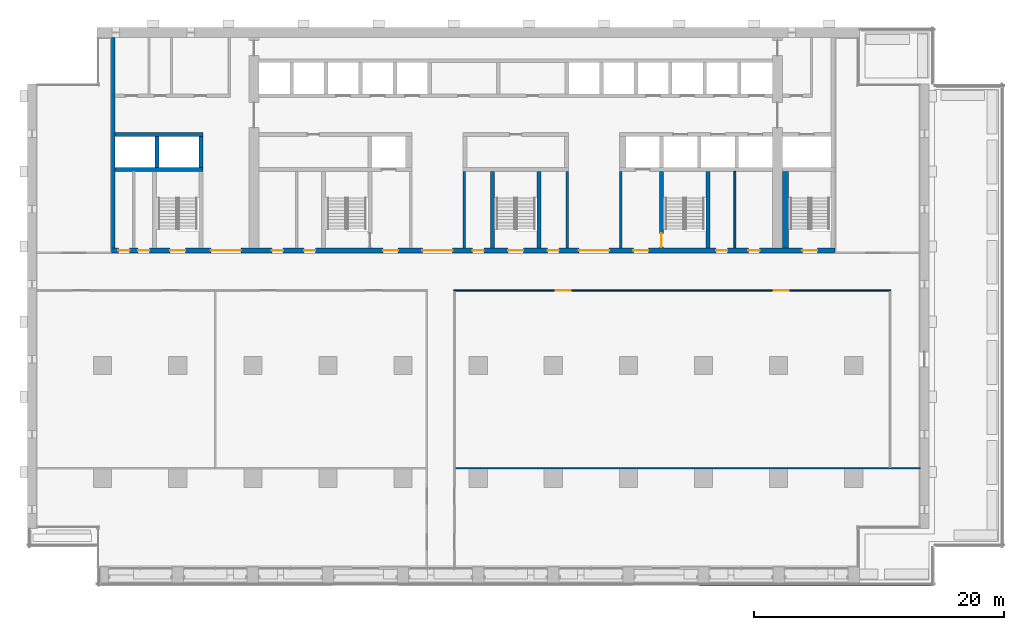
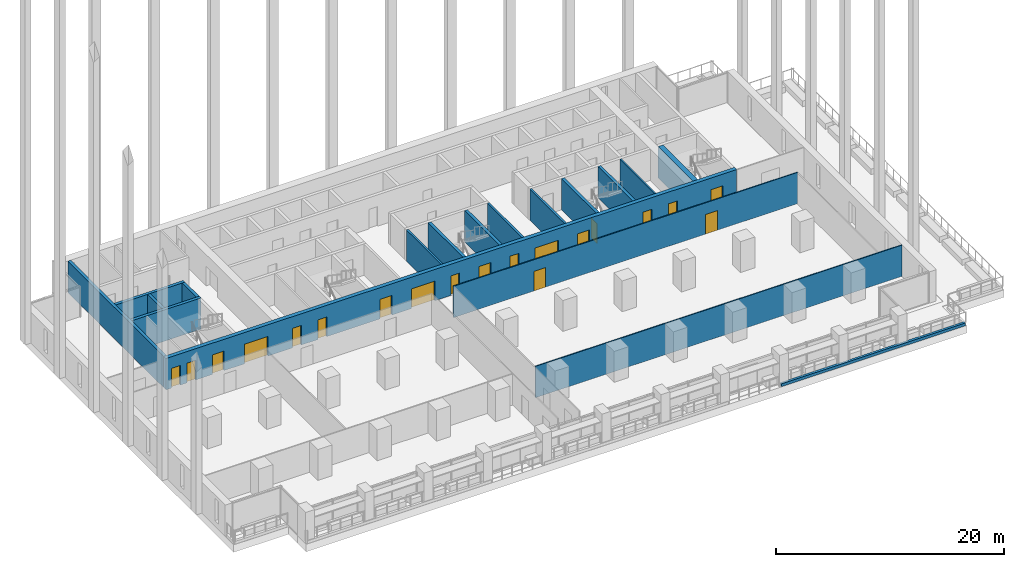
# One storey, part 9 of 18: 19 doors, 18 walls, 19 openings.
"""IFC4 building model written with IfcOpenShell, lengths in metres."""

from ifc_helpers import new_model, si_unit, direction, frame, frame_2d, origin, place, context, subcontext, project, spatial, rectangle, extrude, material, layer, layer_set, type_object, element, fill, save


model = new_model("IFC4")

# Units and contexts
model_context = context("Model", 3, precision=1e-05, world=origin(), true_north=direction((0.0, 1.0)))
body_context = subcontext(model_context, "Body", "Model", "MODEL_VIEW")
ifc_project = project(units=[si_unit("LENGTHUNIT", "METRE"), si_unit("AREAUNIT", "SQUARE_METRE"), si_unit("VOLUMEUNIT", "CUBIC_METRE"), si_unit("PLANEANGLEUNIT", "RADIAN"), si_unit("MASSUNIT", "GRAM", prefix="KILO")], contexts=[model_context])

# Site, building, storey
site_placement = place(None, origin())
site = spatial("IfcSite", under=ifc_project, at=site_placement, CompositionType="ELEMENT")
building_placement = place(site_placement, origin())
building = spatial("IfcBuilding", under=site, at=building_placement, Name="Calvaro Tower", CompositionType="ELEMENT")
storey_placement = place(building_placement, frame((0.0, 0.0, 95.0)))
storey = spatial("IfcBuildingStorey", under=building, at=storey_placement, Name="L23", CompositionType="ELEMENT", Elevation=95.0)

# Walls
ifc_material_1 = material(Name="Blockwork partition", Category="masonry")
ifc_layer_1 = layer(ifc_material_1, 0.14990234375)
ifc_layer_set_1 = layer_set([ifc_layer_1], Name="Blockwork partition")
wall_type_1 = type_object("IfcWallType", Name="Core partition 150 EI 60", PredefinedType="PARTITIONING", material=ifc_layer_set_1)
wall_1_placement = place(storey_placement, frame((56.5, 28.39990234375, 0.0), z_axis=(0.0, 0.0, 1.0), x_axis=(0.0, 1.0, 0.0)))
element("IfcWall", 1, at=wall_1_placement, inside=storey, type_object=wall_type_1, Name="Core partition", PredefinedType="PARTITIONING", context=body_context, shape_type="SweptSolid", body=[
    extrude(rectangle(XDim=6.10009765625, YDim=0.14990234375, at=frame_2d((3.050048828125, 0.0))), origin(), (0.0, 0.0, 1.0), 3.35009765625),
])
ifc_material_2 = material(Name="Blockwork partition", Category="masonry")
ifc_layer_2 = layer(ifc_material_2, 0.199951171875)
ifc_layer_set_2 = layer_set([ifc_layer_2], Name="Blockwork partition")
wall_type_2 = type_object("IfcWallType", Name="Core partition 200 REI 120", PredefinedType="PARTITIONING", material=ifc_layer_set_2)
for number, where, z_axis, x_axis, name in (
    (2, (34.89990234375, 28.39990234375, 0.0), (0.0, 0.0, 1.0), (0.0, 1.0, 0.0), "Core partition"),
    (3, (43.10009765625, 28.39990234375, 0.0), (0.0, 0.0, 1.0), (0.0, 1.0, 0.0), "Core partition"),
    (4, (47.39990234375, 28.39990234375, 0.0), (0.0, 0.0, 1.0), (0.0, 1.0, 0.0), "Core partition"),
):
    element("IfcWall", number, at=place(storey_placement, frame(where, z_axis=z_axis, x_axis=x_axis)), inside=storey, type_object=wall_type_2, Name=name, PredefinedType="PARTITIONING", context=body_context, shape_type="SweptSolid", body=[
        extrude(rectangle(XDim=6.10009765625, YDim=0.199951171875, at=frame_2d((3.050048828125, 0.0))), origin(), (0.0, 0.0, 1.0), 3.35009765625),
    ])
ifc_material_3 = material(Name="Concrete C60/75", Category="concrete")
ifc_layer_3 = layer(ifc_material_3, 0.300048828125)
ifc_layer_set_3 = layer_set([ifc_layer_3], Name="Concrete C60/75")
wall_type_3 = type_object("IfcWallType", Name="Core wall C60/75 300", PredefinedType="SHEAR", material=ifc_layer_set_3)
wall_2_placement = place(storey_placement, frame((6.85009765625, 28.39990234375, 0.0), z_axis=(0.0, 0.0, 1.0), x_axis=(0.0, 1.0, 0.0)))
element("IfcWall", 5, at=wall_2_placement, inside=storey, type_object=wall_type_3, Name="Core wall, boundary", PredefinedType="SHEAR", context=body_context, shape_type="SweptSolid", body=[
    extrude(rectangle(XDim=16.800048828125, YDim=0.300048828125, at=frame_2d((8.39990234375, 0.0))), origin(), (0.0, 0.0, 1.0), 3.35009765625),
])
for number, where, z_axis, x_axis, name in (
    (6, (37.14990234375, 28.39990234375, 0.0), (0.0, 0.0, 1.0), (0.0, 1.0, 0.0), "Core wall, stair enclosure"),
    (7, (40.85009765625, 28.39990234375, 0.0), (0.0, 0.0, 1.0), (0.0, 1.0, 0.0), "Core wall, stair enclosure"),
):
    element("IfcWall", number, at=place(storey_placement, frame(where, z_axis=z_axis, x_axis=x_axis)), inside=storey, type_object=wall_type_3, Name=name, PredefinedType="SHEAR", context=body_context, shape_type="SweptSolid", body=[
        extrude(rectangle(XDim=6.10009765625, YDim=0.300048828125, at=frame_2d((3.050048828125, 0.0))), origin(), (0.0, 0.0, 1.0), 3.35009765625),
    ])

# Wall, opening, door
wall_3_placement = place(storey_placement, frame((50.64990234375, 34.5, 0.0), z_axis=(0.0, 0.0, 1.0), x_axis=(0.0, -1.0, 0.0)))
wall_3 = element("IfcWall", 8, at=wall_3_placement, inside=storey, type_object=wall_type_3, Name="Core wall, stair enclosure", PredefinedType="SHEAR", context=body_context, shape_type="SweptSolid", body=[
    extrude(rectangle(XDim=6.10009765625, YDim=0.300048828125, at=frame_2d((3.050048828125, 0.0))), origin(), (0.0, 0.0, 1.0), 3.35009765625),
])
opening_1_placement = place(wall_3_placement, frame((4.949951171875, 0.0, 0.0)))
opening_1 = element("IfcOpeningElement", 9, at=opening_1_placement, cuts=wall_3, Name="Opening FD11D", PredefinedType="OPENING", context=body_context, shape_type="SweptSolid", body=[
    extrude(rectangle(XDim=1.10009765625, YDim=2.10009765625, at=frame_2d((0.550048828125, 1.050048828125))), frame((0.0, 0.159912109375, 0.0), z_axis=(0.0, -1.0, 0.0), x_axis=(1.0, 0.0, 0.0)), (0.0, 0.0, 1.0), 0.320068359375),
])
ifc_material_4 = material(Name="Steel door set", Category="steel")
door_type_1 = type_object("IfcDoorType", Name="Fire door 1100 FD30S", OperationType="SINGLE_SWING_LEFT", PredefinedType="DOOR", material=ifc_material_4)
door_1_placement = place(opening_1_placement, origin())
door_1 = element("IfcDoor", 10, at=door_1_placement, inside=storey, type_object=door_type_1, Name="Fire door", OperationType="SINGLE_SWING_RIGHT", OverallHeight=2.10009765625, OverallWidth=1.10009765625, PredefinedType="DOOR", context=body_context, shape_type="SweptSolid", body=[
    extrude(rectangle(XDim=1.10009765625, YDim=2.10009765625, at=frame_2d((0.550048828125, 1.050048828125))), frame((0.0, 0.02490234375, 0.0), z_axis=(0.0, -1.0, 0.0), x_axis=(1.0, 0.0, 0.0)), (0.0, 0.0, 1.0), 0.050048828125),
])
fill(opening_1, door_1)

# Walls
wall_4_placement = place(storey_placement, frame((54.35009765625, 28.39990234375, 0.0), z_axis=(0.0, 0.0, 1.0), x_axis=(0.0, 1.0, 0.0)))
element("IfcWall", 11, at=wall_4_placement, inside=storey, type_object=wall_type_3, Name="Core wall, stair enclosure", PredefinedType="SHEAR", context=body_context, shape_type="SweptSolid", body=[
    extrude(rectangle(XDim=6.10009765625, YDim=0.300048828125, at=frame_2d((3.050048828125, 0.0))), origin(), (0.0, 0.0, 1.0), 3.35009765625),
])
for number, where, z_axis, x_axis, name in (
    (12, (7.0, 34.64990234375, 0.0), (0.0, 0.0, 1.0), (1.0, 0.0, 0.0), "Core wall, lift shaft"),
    (13, (7.0, 37.449951171875, 0.0), (0.0, 0.0, 1.0), (1.0, 0.0, 0.0), "Core wall, lift shaft"),
):
    element("IfcWall", number, at=place(storey_placement, frame(where, z_axis=z_axis, x_axis=x_axis)), inside=storey, type_object=wall_type_3, Name=name, PredefinedType="SHEAR", context=body_context, shape_type="SweptSolid", body=[
        extrude(rectangle(XDim=7.0, YDim=0.300048828125, at=frame_2d((3.5, 0.0))), origin(), (0.0, 0.0, 1.0), 3.35009765625),
    ])
for number, where, z_axis, x_axis, name in (
    (14, (13.85009765625, 34.800048828125, 0.0), (0.0, 0.0, 1.0), (0.0, 1.0, 0.0), "Core wall, lift shaft"),
    (15, (10.35009765625, 34.800048828125, 0.0), (0.0, 0.0, 1.0), (0.0, 1.0, 0.0), "Core wall, lift shaft"),
):
    element("IfcWall", number, at=place(storey_placement, frame(where, z_axis=z_axis, x_axis=x_axis)), inside=storey, type_object=wall_type_3, Name=name, PredefinedType="SHEAR", context=body_context, shape_type="SweptSolid", body=[
        extrude(rectangle(XDim=2.5, YDim=0.300048828125, at=frame_2d((1.25, 0.0))), origin(), (0.0, 0.0, 1.0), 3.35009765625),
    ])

# Wall, openings, doors
ifc_material_5 = material(Name="Concrete C60/75", Category="concrete")
ifc_layer_4 = layer(ifc_material_5, 0.39990234375)
ifc_layer_set_4 = layer_set([ifc_layer_4], Name="Concrete C60/75")
wall_type_4 = type_object("IfcWallType", Name="Core wall C60/75 400", PredefinedType="SHEAR", material=ifc_layer_set_4)
wall_5_placement = place(storey_placement, frame((6.699951171875, 28.199951171875, 0.0), z_axis=(0.0, 0.0, 1.0), x_axis=(1.0, 0.0, 0.0)))
wall_5 = element("IfcWall", 16, at=wall_5_placement, inside=storey, type_object=wall_type_4, Name="Core wall, front", PredefinedType="SHEAR", context=body_context, shape_type="SweptSolid", body=[
    extrude(rectangle(XDim=57.800048828125, YDim=0.39990234375, at=frame_2d((28.89990234375, 0.0))), origin(), (0.0, 0.0, 1.0), 3.35009765625),
])
opening_2_placement = place(wall_5_placement, frame((12.8125, 0.0, 0.0)))
opening_2 = element("IfcOpeningElement", 17, at=opening_2_placement, cuts=wall_5, Name="Opening RD9E", PredefinedType="OPENING", context=body_context, shape_type="SweptSolid", body=[
    extrude(rectangle(XDim=0.89990234375, YDim=2.10009765625, at=frame_2d((0.449951171875, 1.050048828125))), frame((0.0, 0.2099609375, 0.0), z_axis=(0.0, -1.0, 0.0), x_axis=(1.0, 0.0, 0.0)), (0.0, 0.0, 1.0), 0.419921875),
])
opening_3_placement = place(wall_5_placement, frame((15.387451171875, 0.0, 0.0)))
opening_3 = element("IfcOpeningElement", 18, at=opening_3_placement, cuts=wall_5, Name="Opening RD9E", PredefinedType="OPENING", context=body_context, shape_type="SweptSolid", body=[
    extrude(rectangle(XDim=0.89990234375, YDim=2.10009765625, at=frame_2d((0.449951171875, 1.050048828125))), frame((0.0, 0.2099609375, 0.0), z_axis=(0.0, -1.0, 0.0), x_axis=(1.0, 0.0, 0.0)), (0.0, 0.0, 1.0), 0.419921875),
])
opening_4_placement = place(wall_5_placement, frame((48.3125, 0.0, 0.0)))
opening_4 = element("IfcOpeningElement", 19, at=opening_4_placement, cuts=wall_5, Name="Opening RD9E", PredefinedType="OPENING", context=body_context, shape_type="SweptSolid", body=[
    extrude(rectangle(XDim=0.89990234375, YDim=2.10009765625, at=frame_2d((0.449951171875, 1.050048828125))), frame((0.0, 0.2099609375, 0.0), z_axis=(0.0, -1.0, 0.0), x_axis=(1.0, 0.0, 0.0)), (0.0, 0.0, 1.0), 0.419921875),
])
opening_5_placement = place(wall_5_placement, frame((50.887451171875, 0.0, 0.0)))
opening_5 = element("IfcOpeningElement", 20, at=opening_5_placement, cuts=wall_5, Name="Opening RD9E", PredefinedType="OPENING", context=body_context, shape_type="SweptSolid", body=[
    extrude(rectangle(XDim=0.89990234375, YDim=2.10009765625, at=frame_2d((0.449951171875, 1.050048828125))), frame((0.0, 0.2099609375, 0.0), z_axis=(0.0, -1.0, 0.0), x_axis=(1.0, 0.0, 0.0)), (0.0, 0.0, 1.0), 0.419921875),
])
opening_6_placement = place(wall_5_placement, frame((0.5625, 0.0, 0.0)))
opening_6 = element("IfcOpeningElement", 21, at=opening_6_placement, cuts=wall_5, Name="Opening RD9E", PredefinedType="OPENING", context=body_context, shape_type="SweptSolid", body=[
    extrude(rectangle(XDim=0.89990234375, YDim=2.10009765625, at=frame_2d((0.449951171875, 1.050048828125))), frame((0.0, 0.2099609375, 0.0), z_axis=(0.0, -1.0, 0.0), x_axis=(1.0, 0.0, 0.0)), (0.0, 0.0, 1.0), 0.419921875),
])
opening_7_placement = place(wall_5_placement, frame((2.137451171875, 0.0, 0.0)))
opening_7 = element("IfcOpeningElement", 22, at=opening_7_placement, cuts=wall_5, Name="Opening RD9C", PredefinedType="OPENING", context=body_context, shape_type="SweptSolid", body=[
    extrude(rectangle(XDim=0.89990234375, YDim=2.10009765625, at=frame_2d((0.449951171875, 1.050048828125))), frame((0.0, 0.2099609375, 0.0), z_axis=(0.0, -1.0, 0.0), x_axis=(1.0, 0.0, 0.0)), (0.0, 0.0, 1.0), 0.419921875),
])
opening_8_placement = place(wall_5_placement, frame((4.699951171875, 0.0, 0.0)))
opening_8 = element("IfcOpeningElement", 23, at=opening_8_placement, cuts=wall_5, Name="Opening SD12D", PredefinedType="OPENING", context=body_context, shape_type="SweptSolid", body=[
    extrude(rectangle(XDim=1.199951171875, YDim=2.10009765625, at=frame_2d((0.60009765625, 1.050048828125))), frame((0.0, 0.2099609375, 0.0), z_axis=(0.0, -1.0, 0.0), x_axis=(1.0, 0.0, 0.0)), (0.0, 0.0, 1.0), 0.419921875),
])
opening_9_placement = place(wall_5_placement, frame((31.699951171875, 0.0, 0.0)))
opening_9 = element("IfcOpeningElement", 24, at=opening_9_placement, cuts=wall_5, Name="Opening SD12D", PredefinedType="OPENING", context=body_context, shape_type="SweptSolid", body=[
    extrude(rectangle(XDim=1.199951171875, YDim=2.10009765625, at=frame_2d((0.60009765625, 1.050048828125))), frame((0.0, 0.2099609375, 0.0), z_axis=(0.0, -1.0, 0.0), x_axis=(1.0, 0.0, 0.0)), (0.0, 0.0, 1.0), 0.419921875),
])
opening_10_placement = place(wall_5_placement, frame((55.199951171875, 0.0, 0.0)))
opening_10 = element("IfcOpeningElement", 25, at=opening_10_placement, cuts=wall_5, Name="Opening SD12D", PredefinedType="OPENING", context=body_context, shape_type="SweptSolid", body=[
    extrude(rectangle(XDim=1.199951171875, YDim=2.10009765625, at=frame_2d((0.60009765625, 1.050048828125))), frame((0.0, 0.2099609375, 0.0), z_axis=(0.0, -1.0, 0.0), x_axis=(1.0, 0.0, 0.0)), (0.0, 0.0, 1.0), 0.419921875),
])
opening_11_placement = place(wall_5_placement, frame((21.699951171875, 0.0, 0.0)))
opening_11 = element("IfcOpeningElement", 26, at=opening_11_placement, cuts=wall_5, Name="Opening FD12F", PredefinedType="OPENING", context=body_context, shape_type="SweptSolid", body=[
    extrude(rectangle(XDim=1.199951171875, YDim=2.10009765625, at=frame_2d((0.60009765625, 1.050048828125))), frame((0.0, 0.2099609375, 0.0), z_axis=(0.0, -1.0, 0.0), x_axis=(1.0, 0.0, 0.0)), (0.0, 0.0, 1.0), 0.419921875),
])
opening_12_placement = place(wall_5_placement, frame((41.699951171875, 0.0, 0.0)))
opening_12 = element("IfcOpeningElement", 27, at=opening_12_placement, cuts=wall_5, Name="Opening FD12F", PredefinedType="OPENING", context=body_context, shape_type="SweptSolid", body=[
    extrude(rectangle(XDim=1.199951171875, YDim=2.10009765625, at=frame_2d((0.60009765625, 1.050048828125))), frame((0.0, 0.2099609375, 0.0), z_axis=(0.0, -1.0, 0.0), x_axis=(1.0, 0.0, 0.0)), (0.0, 0.0, 1.0), 0.419921875),
])
opening_13_placement = place(wall_5_placement, frame((24.85009765625, 0.0, 0.0)))
opening_13 = element("IfcOpeningElement", 28, at=opening_13_placement, cuts=wall_5, Name="Opening DD24D", PredefinedType="OPENING", context=body_context, shape_type="SweptSolid", body=[
    extrude(rectangle(XDim=2.39990234375, YDim=2.10009765625, at=frame_2d((1.199951171875, 1.050048828125))), frame((0.0, 0.2099609375, 0.0), z_axis=(0.0, -1.0, 0.0), x_axis=(1.0, 0.0, 0.0)), (0.0, 0.0, 1.0), 0.419921875),
])
opening_14_placement = place(wall_5_placement, frame((37.35009765625, 0.0, 0.0)))
opening_14 = element("IfcOpeningElement", 29, at=opening_14_placement, cuts=wall_5, Name="Opening DD24D", PredefinedType="OPENING", context=body_context, shape_type="SweptSolid", body=[
    extrude(rectangle(XDim=2.39990234375, YDim=2.10009765625, at=frame_2d((1.199951171875, 1.050048828125))), frame((0.0, 0.2099609375, 0.0), z_axis=(0.0, -1.0, 0.0), x_axis=(1.0, 0.0, 0.0)), (0.0, 0.0, 1.0), 0.419921875),
])
opening_15_placement = place(wall_5_placement, frame((7.949951171875, 0.0, 0.0)))
opening_15 = element("IfcOpeningElement", 30, at=opening_15_placement, cuts=wall_5, Name="Opening DD24D", PredefinedType="OPENING", context=body_context, shape_type="SweptSolid", body=[
    extrude(rectangle(XDim=2.39990234375, YDim=2.10009765625, at=frame_2d((1.199951171875, 1.050048828125))), frame((0.0, 0.2099609375, 0.0), z_axis=(0.0, -1.0, 0.0), x_axis=(1.0, 0.0, 0.0)), (0.0, 0.0, 1.0), 0.419921875),
])
opening_16_placement = place(wall_5_placement, frame((28.85009765625, 0.0, 0.0)))
opening_16 = element("IfcOpeningElement", 31, at=opening_16_placement, cuts=wall_5, Name="Opening RD9E", PredefinedType="OPENING", context=body_context, shape_type="SweptSolid", body=[
    extrude(rectangle(XDim=0.89990234375, YDim=2.10009765625, at=frame_2d((0.449951171875, 1.050048828125))), frame((0.0, 0.2099609375, 0.0), z_axis=(0.0, -1.0, 0.0), x_axis=(1.0, 0.0, 0.0)), (0.0, 0.0, 1.0), 0.419921875),
])
opening_17_placement = place(wall_5_placement, frame((34.85009765625, 0.0, 0.0)))
opening_17 = element("IfcOpeningElement", 32, at=opening_17_placement, cuts=wall_5, Name="Opening RD9E", PredefinedType="OPENING", context=body_context, shape_type="SweptSolid", body=[
    extrude(rectangle(XDim=0.89990234375, YDim=2.10009765625, at=frame_2d((0.449951171875, 1.050048828125))), frame((0.0, 0.2099609375, 0.0), z_axis=(0.0, -1.0, 0.0), x_axis=(1.0, 0.0, 0.0)), (0.0, 0.0, 1.0), 0.419921875),
])
ifc_material_6 = material(Name="Steel door set", Category="steel")
door_type_2 = type_object("IfcDoorType", Name="Fire door 1200 FD60S", OperationType="SINGLE_SWING_LEFT", PredefinedType="DOOR", material=ifc_material_6)
door_2_placement = place(opening_11_placement, origin())
door_2 = element("IfcDoor", 33, at=door_2_placement, inside=storey, type_object=door_type_2, Name="Fire door", OperationType="SINGLE_SWING_LEFT", OverallHeight=2.10009765625, OverallWidth=1.199951171875, PredefinedType="DOOR", context=body_context, shape_type="SweptSolid", body=[
    extrude(rectangle(XDim=1.199951171875, YDim=2.10009765625, at=frame_2d((0.60009765625, 1.050048828125))), frame((0.0, 0.02490234375, 0.0), z_axis=(0.0, -1.0, 0.0), x_axis=(1.0, 0.0, 0.0)), (0.0, 0.0, 1.0), 0.050048828125),
])
fill(opening_11, door_2)
door_3_placement = place(opening_12_placement, origin())
door_3 = element("IfcDoor", 34, at=door_3_placement, inside=storey, type_object=door_type_2, Name="Fire door", OperationType="SINGLE_SWING_LEFT", OverallHeight=2.10009765625, OverallWidth=1.199951171875, PredefinedType="DOOR", context=body_context, shape_type="SweptSolid", body=[
    extrude(rectangle(XDim=1.199951171875, YDim=2.10009765625, at=frame_2d((0.60009765625, 1.050048828125))), frame((0.0, 0.02490234375, 0.0), z_axis=(0.0, -1.0, 0.0), x_axis=(1.0, 0.0, 0.0)), (0.0, 0.0, 1.0), 0.050048828125),
])
fill(opening_12, door_3)
ifc_material_7 = material(Name="Steel door set", Category="steel")
door_type_3 = type_object("IfcDoorType", Name="Lobby double door 2400 FD30S", OperationType="DOUBLE_DOOR_SINGLE_SWING", PredefinedType="DOOR", material=ifc_material_7)
door_4_placement = place(opening_13_placement, origin())
door_4 = element("IfcDoor", 35, at=door_4_placement, inside=storey, type_object=door_type_3, Name="Lobby double door", OperationType="DOUBLE_DOOR_SINGLE_SWING", OverallHeight=2.10009765625, OverallWidth=2.39990234375, PredefinedType="DOOR", context=body_context, shape_type="SweptSolid", body=[
    extrude(rectangle(XDim=2.39990234375, YDim=2.10009765625, at=frame_2d((1.199951171875, 1.050048828125))), frame((0.0, 0.02490234375, 0.0), z_axis=(0.0, -1.0, 0.0), x_axis=(1.0, 0.0, 0.0)), (0.0, 0.0, 1.0), 0.050048828125),
])
fill(opening_13, door_4)
door_5_placement = place(opening_14_placement, origin())
door_5 = element("IfcDoor", 36, at=door_5_placement, inside=storey, type_object=door_type_3, Name="Lobby double door", OperationType="DOUBLE_DOOR_SINGLE_SWING", OverallHeight=2.10009765625, OverallWidth=2.39990234375, PredefinedType="DOOR", context=body_context, shape_type="SweptSolid", body=[
    extrude(rectangle(XDim=2.39990234375, YDim=2.10009765625, at=frame_2d((1.199951171875, 1.050048828125))), frame((0.0, 0.02490234375, 0.0), z_axis=(0.0, -1.0, 0.0), x_axis=(1.0, 0.0, 0.0)), (0.0, 0.0, 1.0), 0.050048828125),
])
fill(opening_14, door_5)
door_6_placement = place(opening_15_placement, origin())
door_6 = element("IfcDoor", 37, at=door_6_placement, inside=storey, type_object=door_type_3, Name="Lobby double door", OperationType="DOUBLE_DOOR_SINGLE_SWING", OverallHeight=2.10009765625, OverallWidth=2.39990234375, PredefinedType="DOOR", context=body_context, shape_type="SweptSolid", body=[
    extrude(rectangle(XDim=2.39990234375, YDim=2.10009765625, at=frame_2d((1.199951171875, 1.050048828125))), frame((0.0, 0.02490234375, 0.0), z_axis=(0.0, -1.0, 0.0), x_axis=(1.0, 0.0, 0.0)), (0.0, 0.0, 1.0), 0.050048828125),
])
fill(opening_15, door_6)
ifc_material_8 = material(Name="Steel door set", Category="steel")
door_type_4 = type_object("IfcDoorType", Name="Room door 900 FD30", OperationType="SINGLE_SWING_LEFT", PredefinedType="DOOR", material=ifc_material_8)
door_7_placement = place(opening_7_placement, origin())
door_7 = element("IfcDoor", 38, at=door_7_placement, inside=storey, type_object=door_type_4, Name="Room door", OperationType="SINGLE_SWING_LEFT", OverallHeight=2.10009765625, OverallWidth=0.89990234375, PredefinedType="DOOR", context=body_context, shape_type="SweptSolid", body=[
    extrude(rectangle(XDim=0.89990234375, YDim=2.10009765625, at=frame_2d((0.449951171875, 1.050048828125))), frame((0.0, 0.02490234375, 0.0), z_axis=(0.0, -1.0, 0.0), x_axis=(1.0, 0.0, 0.0)), (0.0, 0.0, 1.0), 0.050048828125),
])
fill(opening_7, door_7)
ifc_material_9 = material(Name="Steel door set", Category="steel")
door_type_5 = type_object("IfcDoorType", Name="Room door 900 FD60", OperationType="SINGLE_SWING_LEFT", PredefinedType="DOOR", material=ifc_material_9)
door_8_placement = place(opening_2_placement, origin())
door_8 = element("IfcDoor", 39, at=door_8_placement, inside=storey, type_object=door_type_5, Name="Room door", OperationType="SINGLE_SWING_LEFT", OverallHeight=2.10009765625, OverallWidth=0.89990234375, PredefinedType="DOOR", context=body_context, shape_type="SweptSolid", body=[
    extrude(rectangle(XDim=0.89990234375, YDim=2.10009765625, at=frame_2d((0.449951171875, 1.050048828125))), frame((0.0, 0.02490234375, 0.0), z_axis=(0.0, -1.0, 0.0), x_axis=(1.0, 0.0, 0.0)), (0.0, 0.0, 1.0), 0.050048828125),
])
fill(opening_2, door_8)
door_9_placement = place(opening_3_placement, origin())
door_9 = element("IfcDoor", 40, at=door_9_placement, inside=storey, type_object=door_type_5, Name="Room door", OperationType="SINGLE_SWING_RIGHT", OverallHeight=2.10009765625, OverallWidth=0.89990234375, PredefinedType="DOOR", context=body_context, shape_type="SweptSolid", body=[
    extrude(rectangle(XDim=0.89990234375, YDim=2.10009765625, at=frame_2d((0.449951171875, 1.050048828125))), frame((0.0, 0.02490234375, 0.0), z_axis=(0.0, -1.0, 0.0), x_axis=(1.0, 0.0, 0.0)), (0.0, 0.0, 1.0), 0.050048828125),
])
fill(opening_3, door_9)
door_10_placement = place(opening_4_placement, origin())
door_10 = element("IfcDoor", 41, at=door_10_placement, inside=storey, type_object=door_type_5, Name="Room door", OperationType="SINGLE_SWING_LEFT", OverallHeight=2.10009765625, OverallWidth=0.89990234375, PredefinedType="DOOR", context=body_context, shape_type="SweptSolid", body=[
    extrude(rectangle(XDim=0.89990234375, YDim=2.10009765625, at=frame_2d((0.449951171875, 1.050048828125))), frame((0.0, 0.02490234375, 0.0), z_axis=(0.0, -1.0, 0.0), x_axis=(1.0, 0.0, 0.0)), (0.0, 0.0, 1.0), 0.050048828125),
])
fill(opening_4, door_10)
door_11_placement = place(opening_5_placement, origin())
door_11 = element("IfcDoor", 42, at=door_11_placement, inside=storey, type_object=door_type_5, Name="Room door", OperationType="SINGLE_SWING_LEFT", OverallHeight=2.10009765625, OverallWidth=0.89990234375, PredefinedType="DOOR", context=body_context, shape_type="SweptSolid", body=[
    extrude(rectangle(XDim=0.89990234375, YDim=2.10009765625, at=frame_2d((0.449951171875, 1.050048828125))), frame((0.0, 0.02490234375, 0.0), z_axis=(0.0, -1.0, 0.0), x_axis=(1.0, 0.0, 0.0)), (0.0, 0.0, 1.0), 0.050048828125),
])
fill(opening_5, door_11)
door_12_placement = place(opening_6_placement, origin())
door_12 = element("IfcDoor", 43, at=door_12_placement, inside=storey, type_object=door_type_5, Name="Room door", OperationType="SINGLE_SWING_LEFT", OverallHeight=2.10009765625, OverallWidth=0.89990234375, PredefinedType="DOOR", context=body_context, shape_type="SweptSolid", body=[
    extrude(rectangle(XDim=0.89990234375, YDim=2.10009765625, at=frame_2d((0.449951171875, 1.050048828125))), frame((0.0, 0.02490234375, 0.0), z_axis=(0.0, -1.0, 0.0), x_axis=(1.0, 0.0, 0.0)), (0.0, 0.0, 1.0), 0.050048828125),
])
fill(opening_6, door_12)
door_13_placement = place(opening_16_placement, origin())
door_13 = element("IfcDoor", 44, at=door_13_placement, inside=storey, type_object=door_type_5, Name="Room door", OperationType="SINGLE_SWING_LEFT", OverallHeight=2.10009765625, OverallWidth=0.89990234375, PredefinedType="DOOR", context=body_context, shape_type="SweptSolid", body=[
    extrude(rectangle(XDim=0.89990234375, YDim=2.10009765625, at=frame_2d((0.449951171875, 1.050048828125))), frame((0.0, 0.02490234375, 0.0), z_axis=(0.0, -1.0, 0.0), x_axis=(1.0, 0.0, 0.0)), (0.0, 0.0, 1.0), 0.050048828125),
])
fill(opening_16, door_13)
door_14_placement = place(opening_17_placement, origin())
door_14 = element("IfcDoor", 45, at=door_14_placement, inside=storey, type_object=door_type_5, Name="Room door", OperationType="SINGLE_SWING_LEFT", OverallHeight=2.10009765625, OverallWidth=0.89990234375, PredefinedType="DOOR", context=body_context, shape_type="SweptSolid", body=[
    extrude(rectangle(XDim=0.89990234375, YDim=2.10009765625, at=frame_2d((0.449951171875, 1.050048828125))), frame((0.0, 0.02490234375, 0.0), z_axis=(0.0, -1.0, 0.0), x_axis=(1.0, 0.0, 0.0)), (0.0, 0.0, 1.0), 0.050048828125),
])
fill(opening_17, door_14)
ifc_material_10 = material(Name="Steel door set", Category="steel")
door_type_6 = type_object("IfcDoorType", Name="Stair door 1200 FD30S", OperationType="SINGLE_SWING_LEFT", PredefinedType="DOOR", material=ifc_material_10)
door_15_placement = place(opening_8_placement, origin())
door_15 = element("IfcDoor", 46, at=door_15_placement, inside=storey, type_object=door_type_6, Name="Stair door", OperationType="SINGLE_SWING_LEFT", OverallHeight=2.10009765625, OverallWidth=1.199951171875, PredefinedType="DOOR", context=body_context, shape_type="SweptSolid", body=[
    extrude(rectangle(XDim=1.199951171875, YDim=2.10009765625, at=frame_2d((0.60009765625, 1.050048828125))), frame((0.0, 0.02490234375, 0.0), z_axis=(0.0, -1.0, 0.0), x_axis=(1.0, 0.0, 0.0)), (0.0, 0.0, 1.0), 0.050048828125),
])
fill(opening_8, door_15)
door_16_placement = place(opening_9_placement, origin())
door_16 = element("IfcDoor", 47, at=door_16_placement, inside=storey, type_object=door_type_6, Name="Stair door", OperationType="SINGLE_SWING_LEFT", OverallHeight=2.10009765625, OverallWidth=1.199951171875, PredefinedType="DOOR", context=body_context, shape_type="SweptSolid", body=[
    extrude(rectangle(XDim=1.199951171875, YDim=2.10009765625, at=frame_2d((0.60009765625, 1.050048828125))), frame((0.0, 0.02490234375, 0.0), z_axis=(0.0, -1.0, 0.0), x_axis=(1.0, 0.0, 0.0)), (0.0, 0.0, 1.0), 0.050048828125),
])
fill(opening_9, door_16)
door_17_placement = place(opening_10_placement, origin())
door_17 = element("IfcDoor", 48, at=door_17_placement, inside=storey, type_object=door_type_6, Name="Stair door", OperationType="SINGLE_SWING_LEFT", OverallHeight=2.10009765625, OverallWidth=1.199951171875, PredefinedType="DOOR", context=body_context, shape_type="SweptSolid", body=[
    extrude(rectangle(XDim=1.199951171875, YDim=2.10009765625, at=frame_2d((0.60009765625, 1.050048828125))), frame((0.0, 0.02490234375, 0.0), z_axis=(0.0, -1.0, 0.0), x_axis=(1.0, 0.0, 0.0)), (0.0, 0.0, 1.0), 0.050048828125),
])
fill(opening_10, door_17)

# Walls
ifc_material_11 = material(Name="Concrete C60/75", Category="concrete")
ifc_layer_5 = layer(ifc_material_11, 0.5)
ifc_layer_set_5 = layer_set([ifc_layer_5], Name="Concrete C60/75")
wall_type_5 = type_object("IfcWallType", Name="Core wall C60/75 500", PredefinedType="SHEAR", material=ifc_layer_set_5)
wall_6_placement = place(storey_placement, frame((60.550048828125, 28.39990234375, 0.0), z_axis=(0.0, 0.0, 1.0), x_axis=(0.0, 1.0, 0.0)))
element("IfcWall", 49, at=wall_6_placement, inside=storey, type_object=wall_type_5, Name="Core wall, stair enclosure", PredefinedType="SHEAR", context=body_context, shape_type="SweptSolid", body=[
    extrude(rectangle(XDim=6.10009765625, YDim=0.5, at=frame_2d((3.050048828125, 0.0))), origin(), (0.0, 0.0, 1.0), 3.35009765625),
])
ifc_material_12 = material(Name="Plasterboard on steel studs", Category="steel")
ifc_layer_6 = layer(ifc_material_12, 0.10009765625)
ifc_layer_set_6 = layer_set([ifc_layer_6], Name="Plasterboard on steel studs")
wall_type_6 = type_object("IfcWallType", Name="Partition 100", PredefinedType="PARTITIONING", material=ifc_layer_set_6)
wall_7_placement = place(storey_placement, frame((34.14990234375, 10.800048828125, 0.0), z_axis=(0.0, 0.0, 1.0), x_axis=(1.0, 0.0, 0.0)))
element("IfcWall", 50, at=wall_7_placement, inside=storey, type_object=wall_type_6, Name="Partition T41.W002", PredefinedType="PARTITIONING", context=body_context, shape_type="SweptSolid", body=[
    extrude(rectangle(XDim=37.150146484375, YDim=0.10009765625, at=frame_2d((18.5751953125, 0.0))), origin(), (0.0, 0.0, 1.0), 3.35009765625),
])

# Wall, openings, doors
wall_8_placement = place(storey_placement, frame((34.050048828125, 25.0, 0.0), z_axis=(0.0, 0.0, 1.0), x_axis=(1.0, 0.0, 0.0)))
wall_8 = element("IfcWall", 51, at=wall_8_placement, inside=storey, type_object=wall_type_6, Name="Partition T41.W004", PredefinedType="PARTITIONING", context=body_context, shape_type="SweptSolid", body=[
    extrude(rectangle(XDim=34.89990234375, YDim=0.10009765625, at=frame_2d((17.449951171875, 0.0))), origin(), (0.0, 0.0, 1.0), 3.35009765625),
])
opening_18_placement = place(wall_8_placement, frame((8.14990234375, 0.0, 0.0)))
opening_18 = element("IfcOpeningElement", 52, at=opening_18_placement, cuts=wall_8, Name="Opening T41.009", PredefinedType="OPENING", context=body_context, shape_type="SweptSolid", body=[
    extrude(rectangle(XDim=1.199951171875, YDim=2.10009765625, at=frame_2d((0.60009765625, 1.050048828125))), frame((0.0, 0.06005859375, 0.0), z_axis=(0.0, -1.0, 0.0), x_axis=(1.0, 0.0, 0.0)), (0.0, 0.0, 1.0), 0.1201171875),
])
opening_19_placement = place(wall_8_placement, frame((25.550048828125, 0.0, 0.0)))
opening_19 = element("IfcOpeningElement", 53, at=opening_19_placement, cuts=wall_8, Name="Opening T41.010", PredefinedType="OPENING", context=body_context, shape_type="SweptSolid", body=[
    extrude(rectangle(XDim=1.199951171875, YDim=2.10009765625, at=frame_2d((0.60009765625, 1.050048828125))), frame((0.0, 0.06005859375, 0.0), z_axis=(0.0, -1.0, 0.0), x_axis=(1.0, 0.0, 0.0)), (0.0, 0.0, 1.0), 0.1201171875),
])
ifc_material_13 = material(Name="Timber", Category="wood")
door_type_7 = type_object("IfcDoorType", Name="Internal single door 1200 x 2100", OperationType="SINGLE_SWING_LEFT", PredefinedType="DOOR", material=ifc_material_13)
door_18_placement = place(opening_18_placement, origin())
door_18 = element("IfcDoor", 54, at=door_18_placement, inside=storey, type_object=door_type_7, Name="Door T41.009", OperationType="SINGLE_SWING_LEFT", OverallHeight=2.10009765625, OverallWidth=1.199951171875, PredefinedType="DOOR", context=body_context, shape_type="SweptSolid", body=[
    extrude(rectangle(XDim=1.199951171875, YDim=2.10009765625, at=frame_2d((0.60009765625, 1.050048828125))), frame((0.0, 0.02490234375, 0.0), z_axis=(0.0, -1.0, 0.0), x_axis=(1.0, 0.0, 0.0)), (0.0, 0.0, 1.0), 0.050048828125),
])
fill(opening_18, door_18)
door_19_placement = place(opening_19_placement, origin())
door_19 = element("IfcDoor", 55, at=door_19_placement, inside=storey, type_object=door_type_7, Name="Door T41.010", OperationType="SINGLE_SWING_RIGHT", OverallHeight=2.10009765625, OverallWidth=1.199951171875, PredefinedType="DOOR", context=body_context, shape_type="SweptSolid", body=[
    extrude(rectangle(XDim=1.199951171875, YDim=2.10009765625, at=frame_2d((0.60009765625, 1.050048828125))), frame((0.0, 0.02490234375, 0.0), z_axis=(0.0, -1.0, 0.0), x_axis=(1.0, 0.0, 0.0)), (0.0, 0.0, 1.0), 0.050048828125),
])
fill(opening_19, door_19)

# Wall
ifc_material_14 = material(Name="Concrete C40/50", Category="concrete")
ifc_layer_7 = layer(ifc_material_14, 0.199951171875, Name="Structure")
ifc_material_15 = material(Name="Reconstituted stone coping")
ifc_layer_8 = layer(ifc_material_15, 0.050048828125, Name="Finish")
ifc_layer_set_7 = layer_set([ifc_layer_7, ifc_layer_8], Name="Concrete C40/50")
wall_type_7 = type_object("IfcWallType", Name="Terrace edge kerb 250", PredefinedType="PARAPET", material=ifc_layer_set_7)
wall_9_placement = place(storey_placement, frame((53.675048828125, 1.550048828125, 0.0), z_axis=(0.0, 0.0, 1.0), x_axis=(1.0, 0.0, 0.0)))
element("IfcWall", 56, at=wall_9_placement, inside=storey, type_object=wall_type_7, Name="Terrace edge kerb", PredefinedType="PARAPET", context=body_context, shape_type="SweptSolid", body=[
    extrude(rectangle(XDim=18.64990234375, YDim=0.25, at=frame_2d((9.324951171875, 0.0))), origin(), (0.0, 0.0, 1.0), 0.300048828125),
])

save(model, "model.ifc")
